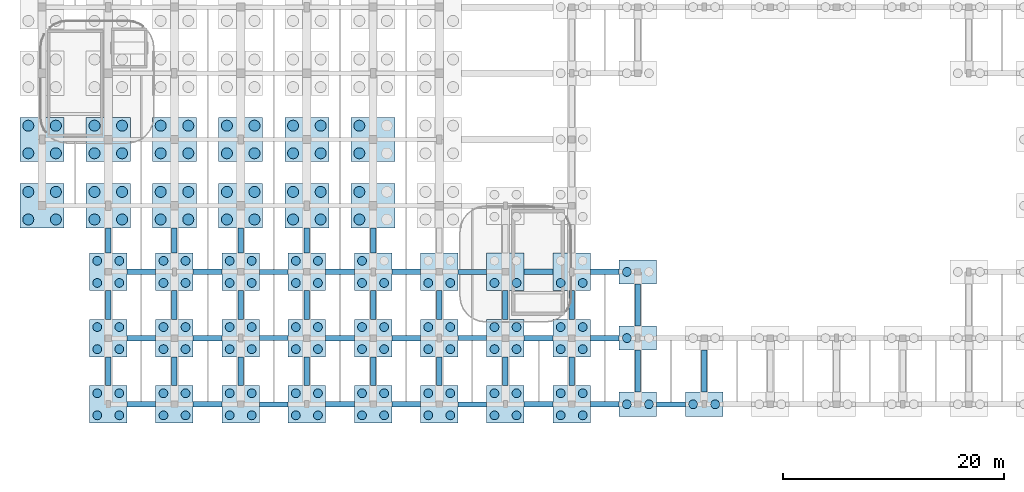
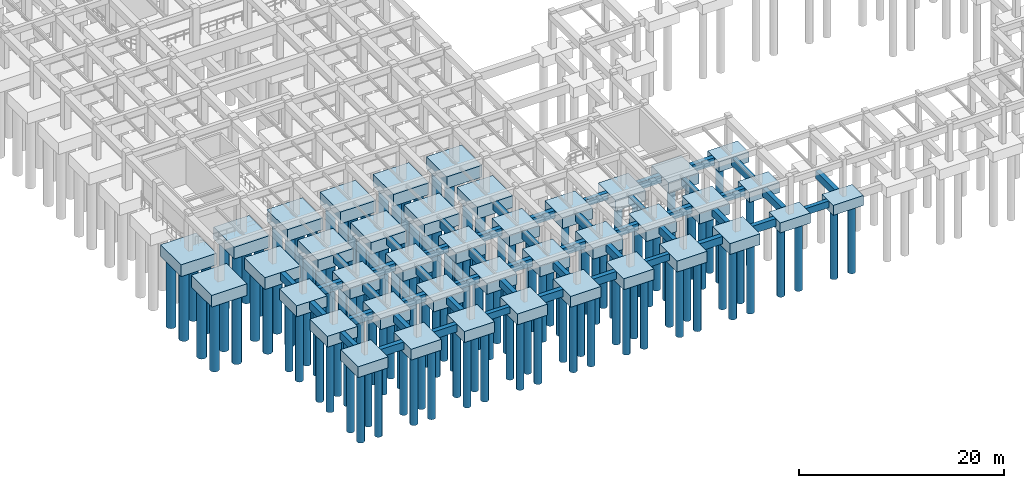
# One storey, part 1 of 32: 139 piles, 89 footings.
"""IFC4 building model written with IfcOpenShell, lengths in metres."""

from ifc_helpers import new_model, si_unit, direction, frame, origin, origin_2d, place, context, subcontext, project, spatial, rectangle, circle, extrude, material, material_profile, profile_set, type_object, element, save


model = new_model("IFC4")

# Units and contexts
model_context = context("Model", 3, precision=1e-05, world=origin(), true_north=direction((0.0, 1.0)))
body_context = subcontext(model_context, "Body", "Model", "MODEL_VIEW")
ifc_project = project(units=[si_unit("LENGTHUNIT", "METRE"), si_unit("AREAUNIT", "SQUARE_METRE"), si_unit("VOLUMEUNIT", "CUBIC_METRE"), si_unit("PLANEANGLEUNIT", "RADIAN"), si_unit("MASSUNIT", "GRAM", prefix="KILO")], contexts=[model_context])

# Site, building, storey
site_placement = place(None, origin())
site = spatial("IfcSite", under=ifc_project, at=site_placement, CompositionType="ELEMENT")
building_placement = place(site_placement, origin())
building = spatial("IfcBuilding", under=site, at=building_placement, Name="Varnakota Square Police Headquarters", CompositionType="ELEMENT")
storey_placement = place(building_placement, frame((0.0, 0.0, -4.5)))
storey = spatial("IfcBuildingStorey", under=building, at=storey_placement, Name="B1", CompositionType="ELEMENT", Elevation=-4.5)

# Footings
ifc_material_1 = material(Name="Concrete M40", Category="concrete")
ifc_material_profile_1 = material_profile(ifc_material_1, rectangle(XDim=0.5, YDim=0.89990234375, at=origin_2d()), Name="GB 500x900")
ifc_profile_set_1 = profile_set([ifc_material_profile_1], Name="Concrete M40")
footing_type_1 = type_object("IfcFootingType", Name="FT-GB1", PredefinedType="FOOTING_BEAM", material=ifc_profile_set_1)
for number, where, z_axis, x_axis, name in (
    (1, (13.699951171875, 3.0, -0.449951171875), (1.0, 0.0, 0.0), (0.0, 1.0, 0.0), "Ground tie beam GB-0001"),
    (2, (19.699951171875, 3.0, -0.449951171875), (1.0, 0.0, 0.0), (0.0, 1.0, 0.0), "Ground tie beam GB-0002"),
    (3, (31.699951171875, 3.0, -0.449951171875), (1.0, 0.0, 0.0), (0.0, 1.0, 0.0), "Ground tie beam GB-0004"),
    (4, (37.699951171875, 3.0, -0.449951171875), (1.0, 0.0, 0.0), (0.0, 1.0, 0.0), "Ground tie beam GB-0005"),
    (5, (49.699951171875, 3.0, -0.449951171875), (1.0, 0.0, 0.0), (0.0, 1.0, 0.0), "Ground tie beam GB-0007"),
    (6, (55.699951171875, 3.0, -0.449951171875), (1.0, 0.0, 0.0), (0.0, 1.0, 0.0), "Ground tie beam GB-0008"),
    (7, (13.699951171875, 9.0, -0.449951171875), (1.0, 0.0, 0.0), (0.0, 1.0, 0.0), "Ground tie beam GB-0016"),
    (8, (19.699951171875, 9.0, -0.449951171875), (1.0, 0.0, 0.0), (0.0, 1.0, 0.0), "Ground tie beam GB-0017"),
    (9, (31.699951171875, 9.0, -0.449951171875), (1.0, 0.0, 0.0), (0.0, 1.0, 0.0), "Ground tie beam GB-0019"),
    (10, (37.699951171875, 9.0, -0.449951171875), (1.0, 0.0, 0.0), (0.0, 1.0, 0.0), "Ground tie beam GB-0020"),
    (11, (49.699951171875, 9.0, -0.449951171875), (1.0, 0.0, 0.0), (0.0, 1.0, 0.0), "Ground tie beam GB-0022"),
    (12, (55.699951171875, 9.0, -0.449951171875), (1.0, 0.0, 0.0), (0.0, 1.0, 0.0), "Ground tie beam GB-0023"),
    (13, (13.699951171875, 15.0, -0.449951171875), (1.0, 0.0, 0.0), (0.0, 1.0, 0.0), "Ground tie beam GB-0031"),
    (14, (19.699951171875, 15.0, -0.449951171875), (1.0, 0.0, 0.0), (0.0, 1.0, 0.0), "Ground tie beam GB-0032"),
    (15, (31.699951171875, 15.0, -0.449951171875), (1.0, 0.0, 0.0), (0.0, 1.0, 0.0), "Ground tie beam GB-0034"),
    (16, (37.699951171875, 15.0, -0.449951171875), (1.0, 0.0, 0.0), (0.0, 1.0, 0.0), "Ground tie beam GB-0035"),
    (17, (49.699951171875, 15.0, -0.449951171875), (1.0, 0.0, 0.0), (0.0, 1.0, 0.0), "Ground tie beam GB-0037"),
    (18, (55.699951171875, 15.0, -0.449951171875), (1.0, 0.0, 0.0), (0.0, 1.0, 0.0), "Ground tie beam GB-0038"),
    (19, (12.0, 4.699951171875, -0.449951171875), (0.0, 1.0, 0.0), (-1.0, 0.0, 0.0), "Ground tie beam GB-0190"),
    (20, (12.0, 10.699951171875, -0.449951171875), (0.0, 1.0, 0.0), (-1.0, 0.0, 0.0), "Ground tie beam GB-0191"),
):
    element("IfcFooting", number, at=place(storey_placement, frame(where, z_axis=z_axis, x_axis=x_axis)), inside=storey, type_object=footing_type_1, Name=name, PredefinedType="FOOTING_BEAM", context=body_context, shape_type="SweptSolid", body=[
        extrude(rectangle(XDim=0.5, YDim=0.89990234375, at=origin_2d()), origin(), (0.0, 0.0, 1.0), 2.60009765625),
    ])
footing_1_placement = place(storey_placement, frame((12.0, 16.699951171875, -0.449951171875), z_axis=(0.0, 1.0, 0.0), x_axis=(-1.0, 0.0, 0.0)))
element("IfcFooting", 21, at=footing_1_placement, inside=storey, type_object=footing_type_1, Name="Ground tie beam GB-0192", PredefinedType="FOOTING_BEAM", context=body_context, shape_type="SweptSolid", body=[
    extrude(rectangle(XDim=0.5, YDim=0.89990234375, at=origin_2d()), origin(), (0.0, 0.0, 1.0), 2.300048828125),
])
for number, where, z_axis, x_axis, name in (
    (22, (18.0, 4.699951171875, -0.449951171875), (0.0, 1.0, 0.0), (-1.0, 0.0, 0.0), "Ground tie beam GB-0195"),
    (23, (18.0, 10.699951171875, -0.449951171875), (0.0, 1.0, 0.0), (-1.0, 0.0, 0.0), "Ground tie beam GB-0196"),
):
    element("IfcFooting", number, at=place(storey_placement, frame(where, z_axis=z_axis, x_axis=x_axis)), inside=storey, type_object=footing_type_1, Name=name, PredefinedType="FOOTING_BEAM", context=body_context, shape_type="SweptSolid", body=[
        extrude(rectangle(XDim=0.5, YDim=0.89990234375, at=origin_2d()), origin(), (0.0, 0.0, 1.0), 2.60009765625),
    ])
footing_2_placement = place(storey_placement, frame((18.0, 16.699951171875, -0.449951171875), z_axis=(0.0, 1.0, 0.0), x_axis=(-1.0, 0.0, 0.0)))
element("IfcFooting", 24, at=footing_2_placement, inside=storey, type_object=footing_type_1, Name="Ground tie beam GB-0197", PredefinedType="FOOTING_BEAM", context=body_context, shape_type="SweptSolid", body=[
    extrude(rectangle(XDim=0.5, YDim=0.89990234375, at=origin_2d()), origin(), (0.0, 0.0, 1.0), 2.300048828125),
])
for number, where, z_axis, x_axis, name in (
    (25, (24.0, 4.699951171875, -0.449951171875), (0.0, 1.0, 0.0), (-1.0, 0.0, 0.0), "Ground tie beam GB-0204"),
    (26, (24.0, 10.699951171875, -0.449951171875), (0.0, 1.0, 0.0), (-1.0, 0.0, 0.0), "Ground tie beam GB-0205"),
):
    element("IfcFooting", number, at=place(storey_placement, frame(where, z_axis=z_axis, x_axis=x_axis)), inside=storey, type_object=footing_type_1, Name=name, PredefinedType="FOOTING_BEAM", context=body_context, shape_type="SweptSolid", body=[
        extrude(rectangle(XDim=0.5, YDim=0.89990234375, at=origin_2d()), origin(), (0.0, 0.0, 1.0), 2.60009765625),
    ])
footing_3_placement = place(storey_placement, frame((24.0, 16.699951171875, -0.449951171875), z_axis=(0.0, 1.0, 0.0), x_axis=(-1.0, 0.0, 0.0)))
element("IfcFooting", 27, at=footing_3_placement, inside=storey, type_object=footing_type_1, Name="Ground tie beam GB-0206", PredefinedType="FOOTING_BEAM", context=body_context, shape_type="SweptSolid", body=[
    extrude(rectangle(XDim=0.5, YDim=0.89990234375, at=origin_2d()), origin(), (0.0, 0.0, 1.0), 2.300048828125),
])
for number, where, z_axis, x_axis, name in (
    (28, (30.0, 4.699951171875, -0.449951171875), (0.0, 1.0, 0.0), (-1.0, 0.0, 0.0), "Ground tie beam GB-0209"),
    (29, (30.0, 10.699951171875, -0.449951171875), (0.0, 1.0, 0.0), (-1.0, 0.0, 0.0), "Ground tie beam GB-0210"),
):
    element("IfcFooting", number, at=place(storey_placement, frame(where, z_axis=z_axis, x_axis=x_axis)), inside=storey, type_object=footing_type_1, Name=name, PredefinedType="FOOTING_BEAM", context=body_context, shape_type="SweptSolid", body=[
        extrude(rectangle(XDim=0.5, YDim=0.89990234375, at=origin_2d()), origin(), (0.0, 0.0, 1.0), 2.60009765625),
    ])
footing_4_placement = place(storey_placement, frame((30.0, 16.699951171875, -0.449951171875), z_axis=(0.0, 1.0, 0.0), x_axis=(-1.0, 0.0, 0.0)))
element("IfcFooting", 30, at=footing_4_placement, inside=storey, type_object=footing_type_1, Name="Ground tie beam GB-0211", PredefinedType="FOOTING_BEAM", context=body_context, shape_type="SweptSolid", body=[
    extrude(rectangle(XDim=0.5, YDim=0.89990234375, at=origin_2d()), origin(), (0.0, 0.0, 1.0), 2.300048828125),
])
for number, where, z_axis, x_axis, name in (
    (31, (36.0, 4.699951171875, -0.449951171875), (0.0, 1.0, 0.0), (-1.0, 0.0, 0.0), "Ground tie beam GB-0218"),
    (32, (36.0, 10.699951171875, -0.449951171875), (0.0, 1.0, 0.0), (-1.0, 0.0, 0.0), "Ground tie beam GB-0219"),
):
    element("IfcFooting", number, at=place(storey_placement, frame(where, z_axis=z_axis, x_axis=x_axis)), inside=storey, type_object=footing_type_1, Name=name, PredefinedType="FOOTING_BEAM", context=body_context, shape_type="SweptSolid", body=[
        extrude(rectangle(XDim=0.5, YDim=0.89990234375, at=origin_2d()), origin(), (0.0, 0.0, 1.0), 2.60009765625),
    ])
footing_5_placement = place(storey_placement, frame((36.0, 16.699951171875, -0.449951171875), z_axis=(0.0, 1.0, 0.0), x_axis=(-1.0, 0.0, 0.0)))
element("IfcFooting", 33, at=footing_5_placement, inside=storey, type_object=footing_type_1, Name="Ground tie beam GB-0220", PredefinedType="FOOTING_BEAM", context=body_context, shape_type="SweptSolid", body=[
    extrude(rectangle(XDim=0.5, YDim=0.89990234375, at=origin_2d()), origin(), (0.0, 0.0, 1.0), 2.300048828125),
])
for number, where, z_axis, x_axis, name in (
    (34, (42.0, 4.699951171875, -0.449951171875), (0.0, 1.0, 0.0), (-1.0, 0.0, 0.0), "Ground tie beam GB-0227"),
    (35, (42.0, 10.699951171875, -0.449951171875), (0.0, 1.0, 0.0), (-1.0, 0.0, 0.0), "Ground tie beam GB-0228"),
    (36, (48.0, 4.699951171875, -0.449951171875), (0.0, 1.0, 0.0), (-1.0, 0.0, 0.0), "Ground tie beam GB-0236"),
    (37, (48.0, 10.699951171875, -0.449951171875), (0.0, 1.0, 0.0), (-1.0, 0.0, 0.0), "Ground tie beam GB-0237"),
    (38, (54.0, 4.699951171875, -0.449951171875), (0.0, 1.0, 0.0), (-1.0, 0.0, 0.0), "Ground tie beam GB-0244"),
    (39, (54.0, 10.699951171875, -0.449951171875), (0.0, 1.0, 0.0), (-1.0, 0.0, 0.0), "Ground tie beam GB-0245"),
):
    element("IfcFooting", number, at=place(storey_placement, frame(where, z_axis=z_axis, x_axis=x_axis)), inside=storey, type_object=footing_type_1, Name=name, PredefinedType="FOOTING_BEAM", context=body_context, shape_type="SweptSolid", body=[
        extrude(rectangle(XDim=0.5, YDim=0.89990234375, at=origin_2d()), origin(), (0.0, 0.0, 1.0), 2.60009765625),
    ])
for number, where, z_axis, x_axis, name in (
    (40, (60.0, 4.10009765625, -0.449951171875), (0.0, 1.0, 0.0), (-1.0, 0.0, 0.0), "Ground tie beam GB-0255"),
    (41, (60.0, 10.10009765625, -0.449951171875), (0.0, 1.0, 0.0), (-1.0, 0.0, 0.0), "Ground tie beam GB-0256"),
    (42, (66.0, 4.10009765625, -0.449951171875), (0.0, 1.0, 0.0), (-1.0, 0.0, 0.0), "Ground tie beam GB-0261"),
):
    element("IfcFooting", number, at=place(storey_placement, frame(where, z_axis=z_axis, x_axis=x_axis)), inside=storey, type_object=footing_type_1, Name=name, PredefinedType="FOOTING_BEAM", context=body_context, shape_type="SweptSolid", body=[
        extrude(rectangle(XDim=0.5, YDim=0.89990234375, at=origin_2d()), origin(), (0.0, 0.0, 1.0), 3.7998046875),
    ])
ifc_material_profile_2 = material_profile(ifc_material_1, rectangle(XDim=0.449951171875, YDim=0.800048828125, at=origin_2d()), Name="GB 450x800")
ifc_profile_set_2 = profile_set([ifc_material_profile_2], Name="Concrete M40")
footing_type_2 = type_object("IfcFootingType", Name="FT-GB3", PredefinedType="FOOTING_BEAM", material=ifc_profile_set_2)
for number, where, z_axis, x_axis, name in (
    (43, (25.699951171875, 3.0, -0.39990234375), (1.0, 0.0, 0.0), (0.0, 1.0, 0.0), "Ground tie beam GB-0003"),
    (44, (43.699951171875, 3.0, -0.39990234375), (1.0, 0.0, 0.0), (0.0, 1.0, 0.0), "Ground tie beam GB-0006"),
    (45, (61.699951171875, 3.0, -0.39990234375), (1.0, 0.0, 0.0), (0.0, 1.0, 0.0), "Ground tie beam GB-0009"),
    (46, (25.699951171875, 9.0, -0.39990234375), (1.0, 0.0, 0.0), (0.0, 1.0, 0.0), "Ground tie beam GB-0018"),
    (47, (43.699951171875, 9.0, -0.39990234375), (1.0, 0.0, 0.0), (0.0, 1.0, 0.0), "Ground tie beam GB-0021"),
    (48, (25.699951171875, 15.0, -0.39990234375), (1.0, 0.0, 0.0), (0.0, 1.0, 0.0), "Ground tie beam GB-0033"),
    (49, (43.699951171875, 15.0, -0.39990234375), (1.0, 0.0, 0.0), (0.0, 1.0, 0.0), "Ground tie beam GB-0036"),
):
    element("IfcFooting", number, at=place(storey_placement, frame(where, z_axis=z_axis, x_axis=x_axis)), inside=storey, type_object=footing_type_2, Name=name, PredefinedType="FOOTING_BEAM", context=body_context, shape_type="SweptSolid", body=[
        extrude(rectangle(XDim=0.449951171875, YDim=0.800048828125, at=origin_2d()), origin(), (0.0, 0.0, 1.0), 2.60009765625),
    ])
footing_type_3 = type_object("IfcFootingType", Name="FT-PC2", PredefinedType="PILE_CAP", material=ifc_material_1)
for number, where, z_axis, x_axis, name in (
    (50, (60.0, 3.0, -1.2001953125), (0.0, 0.0, 1.0), (1.0, 0.0, 0.0), "Pile cap CAP-X0600-Y0030"),
    (51, (60.0, 9.0, -1.2001953125), (0.0, 0.0, 1.0), (1.0, 0.0, 0.0), "Pile cap CAP-X0600-Y0090"),
    (52, (60.0, 15.0, -1.2001953125), (0.0, 0.0, 1.0), (1.0, 0.0, 0.0), "Pile cap CAP-X0600-Y0150"),
    (53, (66.0, 3.0, -1.2001953125), (0.0, 0.0, 1.0), (1.0, 0.0, 0.0), "Pile cap CAP-X0660-Y0030"),
):
    element("IfcFooting", number, at=place(storey_placement, frame(where, z_axis=z_axis, x_axis=x_axis)), inside=storey, type_object=footing_type_3, Name=name, PredefinedType="PILE_CAP", context=body_context, shape_type="SweptSolid", body=[
        extrude(rectangle(XDim=3.39990234375, YDim=2.199951171875, at=origin_2d()), origin(), (0.0, 0.0, 1.0), 1.199951171875),
    ])
footing_type_4 = type_object("IfcFootingType", Name="FT-PC4", PredefinedType="PILE_CAP", material=ifc_material_1)
for number, where, z_axis, x_axis, name in (
    (54, (12.0, 3.0, -1.2998046875), (0.0, 0.0, 1.0), (1.0, 0.0, 0.0), "Pile cap CAP-X0120-Y0030"),
    (55, (12.0, 9.0, -1.2998046875), (0.0, 0.0, 1.0), (1.0, 0.0, 0.0), "Pile cap CAP-X0120-Y0090"),
    (56, (12.0, 15.0, -1.2998046875), (0.0, 0.0, 1.0), (1.0, 0.0, 0.0), "Pile cap CAP-X0120-Y0150"),
    (57, (18.0, 3.0, -1.2998046875), (0.0, 0.0, 1.0), (1.0, 0.0, 0.0), "Pile cap CAP-X0180-Y0030"),
    (58, (18.0, 9.0, -1.2998046875), (0.0, 0.0, 1.0), (1.0, 0.0, 0.0), "Pile cap CAP-X0180-Y0090"),
    (59, (18.0, 15.0, -1.2998046875), (0.0, 0.0, 1.0), (1.0, 0.0, 0.0), "Pile cap CAP-X0180-Y0150"),
    (60, (24.0, 3.0, -1.2998046875), (0.0, 0.0, 1.0), (1.0, 0.0, 0.0), "Pile cap CAP-X0240-Y0030"),
    (61, (24.0, 9.0, -1.2998046875), (0.0, 0.0, 1.0), (1.0, 0.0, 0.0), "Pile cap CAP-X0240-Y0090"),
    (62, (24.0, 15.0, -1.2998046875), (0.0, 0.0, 1.0), (1.0, 0.0, 0.0), "Pile cap CAP-X0240-Y0150"),
    (63, (30.0, 3.0, -1.2998046875), (0.0, 0.0, 1.0), (1.0, 0.0, 0.0), "Pile cap CAP-X0300-Y0030"),
    (64, (30.0, 9.0, -1.2998046875), (0.0, 0.0, 1.0), (1.0, 0.0, 0.0), "Pile cap CAP-X0300-Y0090"),
    (65, (30.0, 15.0, -1.2998046875), (0.0, 0.0, 1.0), (1.0, 0.0, 0.0), "Pile cap CAP-X0300-Y0150"),
    (66, (36.0, 3.0, -1.2998046875), (0.0, 0.0, 1.0), (1.0, 0.0, 0.0), "Pile cap CAP-X0360-Y0030"),
    (67, (36.0, 9.0, -1.2998046875), (0.0, 0.0, 1.0), (1.0, 0.0, 0.0), "Pile cap CAP-X0360-Y0090"),
    (68, (36.0, 15.0, -1.2998046875), (0.0, 0.0, 1.0), (1.0, 0.0, 0.0), "Pile cap CAP-X0360-Y0150"),
    (69, (42.0, 3.0, -1.2998046875), (0.0, 0.0, 1.0), (1.0, 0.0, 0.0), "Pile cap CAP-X0420-Y0030"),
    (70, (42.0, 9.0, -1.2998046875), (0.0, 0.0, 1.0), (1.0, 0.0, 0.0), "Pile cap CAP-X0420-Y0090"),
    (71, (42.0, 15.0, -1.2998046875), (0.0, 0.0, 1.0), (1.0, 0.0, 0.0), "Pile cap CAP-X0420-Y0150"),
    (72, (48.0, 3.0, -1.2998046875), (0.0, 0.0, 1.0), (1.0, 0.0, 0.0), "Pile cap CAP-X0480-Y0030"),
    (73, (48.0, 9.0, -1.2998046875), (0.0, 0.0, 1.0), (1.0, 0.0, 0.0), "Pile cap CAP-X0480-Y0090"),
    (74, (48.0, 15.0, -1.2998046875), (0.0, 0.0, 1.0), (1.0, 0.0, 0.0), "Pile cap CAP-X0480-Y0150"),
    (75, (54.0, 3.0, -1.2998046875), (0.0, 0.0, 1.0), (1.0, 0.0, 0.0), "Pile cap CAP-X0540-Y0030"),
    (76, (54.0, 9.0, -1.2998046875), (0.0, 0.0, 1.0), (1.0, 0.0, 0.0), "Pile cap CAP-X0540-Y0090"),
    (77, (54.0, 15.0, -1.2998046875), (0.0, 0.0, 1.0), (1.0, 0.0, 0.0), "Pile cap CAP-X0540-Y0150"),
):
    element("IfcFooting", number, at=place(storey_placement, frame(where, z_axis=z_axis, x_axis=x_axis)), inside=storey, type_object=footing_type_4, Name=name, PredefinedType="PILE_CAP", context=body_context, shape_type="SweptSolid", body=[
        extrude(rectangle(XDim=3.39990234375, YDim=3.39990234375, at=origin_2d()), origin(), (0.0, 0.0, 1.0), 1.300048828125),
    ])
ifc_material_2 = material(Name="Concrete M50", Category="concrete")
footing_type_5 = type_object("IfcFootingType", Name="FT-PC6", PredefinedType="PILE_CAP", material=ifc_material_2)
for number, where, z_axis, x_axis, name in (
    (78, (6.0, 21.0, -1.39990234375), (0.0, 0.0, 1.0), (1.0, 0.0, 0.0), "Pile cap CAP-X0060-Y0210"),
    (79, (6.0, 27.0, -1.39990234375), (0.0, 0.0, 1.0), (1.0, 0.0, 0.0), "Pile cap CAP-X0060-Y0270"),
    (80, (12.0, 21.0, -1.39990234375), (0.0, 0.0, 1.0), (1.0, 0.0, 0.0), "Pile cap CAP-X0120-Y0210"),
    (81, (12.0, 27.0, -1.39990234375), (0.0, 0.0, 1.0), (1.0, 0.0, 0.0), "Pile cap CAP-X0120-Y0270"),
    (82, (18.0, 21.0, -1.39990234375), (0.0, 0.0, 1.0), (1.0, 0.0, 0.0), "Pile cap CAP-X0180-Y0210"),
    (83, (18.0, 27.0, -1.39990234375), (0.0, 0.0, 1.0), (1.0, 0.0, 0.0), "Pile cap CAP-X0180-Y0270"),
    (84, (24.0, 21.0, -1.39990234375), (0.0, 0.0, 1.0), (1.0, 0.0, 0.0), "Pile cap CAP-X0240-Y0210"),
    (85, (24.0, 27.0, -1.39990234375), (0.0, 0.0, 1.0), (1.0, 0.0, 0.0), "Pile cap CAP-X0240-Y0270"),
    (86, (30.0, 21.0, -1.39990234375), (0.0, 0.0, 1.0), (1.0, 0.0, 0.0), "Pile cap CAP-X0300-Y0210"),
    (87, (30.0, 27.0, -1.39990234375), (0.0, 0.0, 1.0), (1.0, 0.0, 0.0), "Pile cap CAP-X0300-Y0270"),
    (88, (36.0, 21.0, -1.39990234375), (0.0, 0.0, 1.0), (1.0, 0.0, 0.0), "Pile cap CAP-X0360-Y0210"),
    (89, (36.0, 27.0, -1.39990234375), (0.0, 0.0, 1.0), (1.0, 0.0, 0.0), "Pile cap CAP-X0360-Y0270"),
):
    element("IfcFooting", number, at=place(storey_placement, frame(where, z_axis=z_axis, x_axis=x_axis)), inside=storey, type_object=footing_type_5, Name=name, PredefinedType="PILE_CAP", context=body_context, shape_type="SweptSolid", body=[
        extrude(rectangle(XDim=4.0, YDim=4.0, at=origin_2d()), origin(), (0.0, 0.0, 1.0), 1.39990234375),
    ])

# Piles
ifc_material_profile_3 = material_profile(ifc_material_2, circle(Radius=0.5, at=origin_2d()), Name="BORED PILE 1000")
ifc_profile_set_3 = profile_set([ifc_material_profile_3], Name="Concrete M50")
pile_type_1 = type_object("IfcPileType", Name="PILE-D1000", PredefinedType="BORED", material=ifc_profile_set_3)
for number, where, z_axis, x_axis, name in (
    (90, (4.75, 19.75, -1.300048828125), (0.0, 0.0, -1.0), (1.0, 0.0, 0.0), "Bored pile PLG-0001"),
    (91, (4.75, 22.25, -1.300048828125), (0.0, 0.0, -1.0), (1.0, 0.0, 0.0), "Bored pile PLG-0002"),
    (92, (7.25, 19.75, -1.300048828125), (0.0, 0.0, -1.0), (1.0, 0.0, 0.0), "Bored pile PLG-0003"),
    (93, (7.25, 22.25, -1.300048828125), (0.0, 0.0, -1.0), (1.0, 0.0, 0.0), "Bored pile PLG-0004"),
    (94, (4.75, 25.75, -1.300048828125), (0.0, 0.0, -1.0), (1.0, 0.0, 0.0), "Bored pile PLG-0005"),
    (95, (4.75, 28.25, -1.300048828125), (0.0, 0.0, -1.0), (1.0, 0.0, 0.0), "Bored pile PLG-0006"),
    (96, (7.25, 25.75, -1.300048828125), (0.0, 0.0, -1.0), (1.0, 0.0, 0.0), "Bored pile PLG-0007"),
    (97, (7.25, 28.25, -1.300048828125), (0.0, 0.0, -1.0), (1.0, 0.0, 0.0), "Bored pile PLG-0008"),
    (98, (10.75, 19.75, -1.300048828125), (0.0, 0.0, -1.0), (1.0, 0.0, 0.0), "Bored pile PLG-0073"),
    (99, (10.75, 22.25, -1.300048828125), (0.0, 0.0, -1.0), (1.0, 0.0, 0.0), "Bored pile PLG-0074"),
    (100, (13.25, 19.75, -1.300048828125), (0.0, 0.0, -1.0), (1.0, 0.0, 0.0), "Bored pile PLG-0075"),
    (101, (13.25, 22.25, -1.300048828125), (0.0, 0.0, -1.0), (1.0, 0.0, 0.0), "Bored pile PLG-0076"),
    (102, (10.75, 25.75, -1.300048828125), (0.0, 0.0, -1.0), (1.0, 0.0, 0.0), "Bored pile PLG-0077"),
    (103, (10.75, 28.25, -1.300048828125), (0.0, 0.0, -1.0), (1.0, 0.0, 0.0), "Bored pile PLG-0078"),
    (104, (13.25, 25.75, -1.300048828125), (0.0, 0.0, -1.0), (1.0, 0.0, 0.0), "Bored pile PLG-0079"),
    (105, (13.25, 28.25, -1.300048828125), (0.0, 0.0, -1.0), (1.0, 0.0, 0.0), "Bored pile PLG-0080"),
    (106, (16.75, 19.75, -1.300048828125), (0.0, 0.0, -1.0), (1.0, 0.0, 0.0), "Bored pile PLG-0133"),
    (107, (16.75, 22.25, -1.300048828125), (0.0, 0.0, -1.0), (1.0, 0.0, 0.0), "Bored pile PLG-0134"),
    (108, (19.25, 19.75, -1.300048828125), (0.0, 0.0, -1.0), (1.0, 0.0, 0.0), "Bored pile PLG-0135"),
    (109, (19.25, 22.25, -1.300048828125), (0.0, 0.0, -1.0), (1.0, 0.0, 0.0), "Bored pile PLG-0136"),
    (110, (16.75, 25.75, -1.300048828125), (0.0, 0.0, -1.0), (1.0, 0.0, 0.0), "Bored pile PLG-0137"),
    (111, (16.75, 28.25, -1.300048828125), (0.0, 0.0, -1.0), (1.0, 0.0, 0.0), "Bored pile PLG-0138"),
    (112, (19.25, 25.75, -1.300048828125), (0.0, 0.0, -1.0), (1.0, 0.0, 0.0), "Bored pile PLG-0139"),
    (113, (19.25, 28.25, -1.300048828125), (0.0, 0.0, -1.0), (1.0, 0.0, 0.0), "Bored pile PLG-0140"),
    (114, (22.75, 19.75, -1.300048828125), (0.0, 0.0, -1.0), (1.0, 0.0, 0.0), "Bored pile PLG-0196"),
    (115, (22.75, 22.25, -1.300048828125), (0.0, 0.0, -1.0), (1.0, 0.0, 0.0), "Bored pile PLG-0197"),
    (116, (25.25, 19.75, -1.300048828125), (0.0, 0.0, -1.0), (1.0, 0.0, 0.0), "Bored pile PLG-0198"),
    (117, (25.25, 22.25, -1.300048828125), (0.0, 0.0, -1.0), (1.0, 0.0, 0.0), "Bored pile PLG-0199"),
    (118, (22.75, 25.75, -1.300048828125), (0.0, 0.0, -1.0), (1.0, 0.0, 0.0), "Bored pile PLG-0200"),
    (119, (22.75, 28.25, -1.300048828125), (0.0, 0.0, -1.0), (1.0, 0.0, 0.0), "Bored pile PLG-0201"),
    (120, (25.25, 25.75, -1.300048828125), (0.0, 0.0, -1.0), (1.0, 0.0, 0.0), "Bored pile PLG-0202"),
    (121, (25.25, 28.25, -1.300048828125), (0.0, 0.0, -1.0), (1.0, 0.0, 0.0), "Bored pile PLG-0203"),
    (122, (28.75, 19.75, -1.300048828125), (0.0, 0.0, -1.0), (1.0, 0.0, 0.0), "Bored pile PLG-0236"),
    (123, (28.75, 22.25, -1.300048828125), (0.0, 0.0, -1.0), (1.0, 0.0, 0.0), "Bored pile PLG-0237"),
    (124, (31.25, 19.75, -1.300048828125), (0.0, 0.0, -1.0), (1.0, 0.0, 0.0), "Bored pile PLG-0238"),
    (125, (31.25, 22.25, -1.300048828125), (0.0, 0.0, -1.0), (1.0, 0.0, 0.0), "Bored pile PLG-0239"),
    (126, (28.75, 25.75, -1.300048828125), (0.0, 0.0, -1.0), (1.0, 0.0, 0.0), "Bored pile PLG-0240"),
    (127, (28.75, 28.25, -1.300048828125), (0.0, 0.0, -1.0), (1.0, 0.0, 0.0), "Bored pile PLG-0241"),
    (128, (31.25, 25.75, -1.300048828125), (0.0, 0.0, -1.0), (1.0, 0.0, 0.0), "Bored pile PLG-0242"),
    (129, (31.25, 28.25, -1.300048828125), (0.0, 0.0, -1.0), (1.0, 0.0, 0.0), "Bored pile PLG-0243"),
    (130, (34.75, 19.75, -1.300048828125), (0.0, 0.0, -1.0), (1.0, 0.0, 0.0), "Bored pile PLG-0299"),
    (131, (34.75, 22.25, -1.300048828125), (0.0, 0.0, -1.0), (1.0, 0.0, 0.0), "Bored pile PLG-0300"),
    (132, (34.75, 25.75, -1.300048828125), (0.0, 0.0, -1.0), (1.0, 0.0, 0.0), "Bored pile PLG-0303"),
    (133, (34.75, 28.25, -1.300048828125), (0.0, 0.0, -1.0), (1.0, 0.0, 0.0), "Bored pile PLG-0304"),
):
    element("IfcPile", number, at=place(storey_placement, frame(where, z_axis=z_axis, x_axis=x_axis)), inside=storey, type_object=pile_type_1, Name=name, PredefinedType="BORED", context=body_context, shape_type="SweptSolid", body=[
        extrude(circle(Radius=0.5, at=origin_2d()), origin(), (0.0, 0.0, 1.0), 8.199951171875),
    ])
ifc_material_profile_4 = material_profile(ifc_material_1, circle(Radius=0.39990234375, at=origin_2d()), Name="BORED PILE 800")
ifc_profile_set_4 = profile_set([ifc_material_profile_4], Name="Concrete M40")
pile_type_2 = type_object("IfcPileType", Name="PILE-D800", PredefinedType="BORED", material=ifc_profile_set_4)
for number, where, z_axis, x_axis, name in (
    (134, (11.0, 2.0, -1.199951171875), (0.0, 0.0, -1.0), (1.0, 0.0, 0.0), "Bored pile PLG-0061"),
    (135, (11.0, 4.0, -1.199951171875), (0.0, 0.0, -1.0), (1.0, 0.0, 0.0), "Bored pile PLG-0062"),
    (136, (13.0, 2.0, -1.199951171875), (0.0, 0.0, -1.0), (1.0, 0.0, 0.0), "Bored pile PLG-0063"),
    (137, (13.0, 4.0, -1.199951171875), (0.0, 0.0, -1.0), (1.0, 0.0, 0.0), "Bored pile PLG-0064"),
    (138, (11.0, 8.0, -1.199951171875), (0.0, 0.0, -1.0), (1.0, 0.0, 0.0), "Bored pile PLG-0065"),
    (139, (11.0, 10.0, -1.199951171875), (0.0, 0.0, -1.0), (1.0, 0.0, 0.0), "Bored pile PLG-0066"),
    (140, (13.0, 8.0, -1.199951171875), (0.0, 0.0, -1.0), (1.0, 0.0, 0.0), "Bored pile PLG-0067"),
    (141, (13.0, 10.0, -1.199951171875), (0.0, 0.0, -1.0), (1.0, 0.0, 0.0), "Bored pile PLG-0068"),
    (142, (11.0, 14.0, -1.199951171875), (0.0, 0.0, -1.0), (1.0, 0.0, 0.0), "Bored pile PLG-0069"),
    (143, (11.0, 16.0, -1.199951171875), (0.0, 0.0, -1.0), (1.0, 0.0, 0.0), "Bored pile PLG-0070"),
    (144, (13.0, 14.0, -1.199951171875), (0.0, 0.0, -1.0), (1.0, 0.0, 0.0), "Bored pile PLG-0071"),
    (145, (13.0, 16.0, -1.199951171875), (0.0, 0.0, -1.0), (1.0, 0.0, 0.0), "Bored pile PLG-0072"),
    (146, (17.0, 2.0, -1.199951171875), (0.0, 0.0, -1.0), (1.0, 0.0, 0.0), "Bored pile PLG-0121"),
    (147, (17.0, 4.0, -1.199951171875), (0.0, 0.0, -1.0), (1.0, 0.0, 0.0), "Bored pile PLG-0122"),
    (148, (19.0, 2.0, -1.199951171875), (0.0, 0.0, -1.0), (1.0, 0.0, 0.0), "Bored pile PLG-0123"),
    (149, (19.0, 4.0, -1.199951171875), (0.0, 0.0, -1.0), (1.0, 0.0, 0.0), "Bored pile PLG-0124"),
    (150, (17.0, 8.0, -1.199951171875), (0.0, 0.0, -1.0), (1.0, 0.0, 0.0), "Bored pile PLG-0125"),
    (151, (17.0, 10.0, -1.199951171875), (0.0, 0.0, -1.0), (1.0, 0.0, 0.0), "Bored pile PLG-0126"),
    (152, (19.0, 8.0, -1.199951171875), (0.0, 0.0, -1.0), (1.0, 0.0, 0.0), "Bored pile PLG-0127"),
    (153, (19.0, 10.0, -1.199951171875), (0.0, 0.0, -1.0), (1.0, 0.0, 0.0), "Bored pile PLG-0128"),
    (154, (17.0, 14.0, -1.199951171875), (0.0, 0.0, -1.0), (1.0, 0.0, 0.0), "Bored pile PLG-0129"),
    (155, (17.0, 16.0, -1.199951171875), (0.0, 0.0, -1.0), (1.0, 0.0, 0.0), "Bored pile PLG-0130"),
    (156, (19.0, 14.0, -1.199951171875), (0.0, 0.0, -1.0), (1.0, 0.0, 0.0), "Bored pile PLG-0131"),
    (157, (19.0, 16.0, -1.199951171875), (0.0, 0.0, -1.0), (1.0, 0.0, 0.0), "Bored pile PLG-0132"),
    (158, (23.0, 2.0, -1.199951171875), (0.0, 0.0, -1.0), (1.0, 0.0, 0.0), "Bored pile PLG-0184"),
    (159, (23.0, 4.0, -1.199951171875), (0.0, 0.0, -1.0), (1.0, 0.0, 0.0), "Bored pile PLG-0185"),
    (160, (25.0, 2.0, -1.199951171875), (0.0, 0.0, -1.0), (1.0, 0.0, 0.0), "Bored pile PLG-0186"),
    (161, (25.0, 4.0, -1.199951171875), (0.0, 0.0, -1.0), (1.0, 0.0, 0.0), "Bored pile PLG-0187"),
    (162, (23.0, 8.0, -1.199951171875), (0.0, 0.0, -1.0), (1.0, 0.0, 0.0), "Bored pile PLG-0188"),
    (163, (23.0, 10.0, -1.199951171875), (0.0, 0.0, -1.0), (1.0, 0.0, 0.0), "Bored pile PLG-0189"),
    (164, (25.0, 8.0, -1.199951171875), (0.0, 0.0, -1.0), (1.0, 0.0, 0.0), "Bored pile PLG-0190"),
    (165, (25.0, 10.0, -1.199951171875), (0.0, 0.0, -1.0), (1.0, 0.0, 0.0), "Bored pile PLG-0191"),
    (166, (23.0, 14.0, -1.199951171875), (0.0, 0.0, -1.0), (1.0, 0.0, 0.0), "Bored pile PLG-0192"),
    (167, (23.0, 16.0, -1.199951171875), (0.0, 0.0, -1.0), (1.0, 0.0, 0.0), "Bored pile PLG-0193"),
    (168, (25.0, 14.0, -1.199951171875), (0.0, 0.0, -1.0), (1.0, 0.0, 0.0), "Bored pile PLG-0194"),
    (169, (25.0, 16.0, -1.199951171875), (0.0, 0.0, -1.0), (1.0, 0.0, 0.0), "Bored pile PLG-0195"),
    (170, (29.0, 2.0, -1.199951171875), (0.0, 0.0, -1.0), (1.0, 0.0, 0.0), "Bored pile PLG-0224"),
    (171, (29.0, 4.0, -1.199951171875), (0.0, 0.0, -1.0), (1.0, 0.0, 0.0), "Bored pile PLG-0225"),
    (172, (31.0, 2.0, -1.199951171875), (0.0, 0.0, -1.0), (1.0, 0.0, 0.0), "Bored pile PLG-0226"),
    (173, (31.0, 4.0, -1.199951171875), (0.0, 0.0, -1.0), (1.0, 0.0, 0.0), "Bored pile PLG-0227"),
    (174, (29.0, 8.0, -1.199951171875), (0.0, 0.0, -1.0), (1.0, 0.0, 0.0), "Bored pile PLG-0228"),
    (175, (29.0, 10.0, -1.199951171875), (0.0, 0.0, -1.0), (1.0, 0.0, 0.0), "Bored pile PLG-0229"),
    (176, (31.0, 8.0, -1.199951171875), (0.0, 0.0, -1.0), (1.0, 0.0, 0.0), "Bored pile PLG-0230"),
    (177, (31.0, 10.0, -1.199951171875), (0.0, 0.0, -1.0), (1.0, 0.0, 0.0), "Bored pile PLG-0231"),
    (178, (29.0, 14.0, -1.199951171875), (0.0, 0.0, -1.0), (1.0, 0.0, 0.0), "Bored pile PLG-0232"),
    (179, (29.0, 16.0, -1.199951171875), (0.0, 0.0, -1.0), (1.0, 0.0, 0.0), "Bored pile PLG-0233"),
    (180, (31.0, 14.0, -1.199951171875), (0.0, 0.0, -1.0), (1.0, 0.0, 0.0), "Bored pile PLG-0234"),
    (181, (31.0, 16.0, -1.199951171875), (0.0, 0.0, -1.0), (1.0, 0.0, 0.0), "Bored pile PLG-0235"),
    (182, (35.0, 2.0, -1.199951171875), (0.0, 0.0, -1.0), (1.0, 0.0, 0.0), "Bored pile PLG-0287"),
    (183, (35.0, 4.0, -1.199951171875), (0.0, 0.0, -1.0), (1.0, 0.0, 0.0), "Bored pile PLG-0288"),
    (184, (37.0, 2.0, -1.199951171875), (0.0, 0.0, -1.0), (1.0, 0.0, 0.0), "Bored pile PLG-0289"),
    (185, (37.0, 4.0, -1.199951171875), (0.0, 0.0, -1.0), (1.0, 0.0, 0.0), "Bored pile PLG-0290"),
    (186, (35.0, 8.0, -1.199951171875), (0.0, 0.0, -1.0), (1.0, 0.0, 0.0), "Bored pile PLG-0291"),
    (187, (35.0, 10.0, -1.199951171875), (0.0, 0.0, -1.0), (1.0, 0.0, 0.0), "Bored pile PLG-0292"),
    (188, (37.0, 8.0, -1.199951171875), (0.0, 0.0, -1.0), (1.0, 0.0, 0.0), "Bored pile PLG-0293"),
    (189, (37.0, 10.0, -1.199951171875), (0.0, 0.0, -1.0), (1.0, 0.0, 0.0), "Bored pile PLG-0294"),
    (190, (35.0, 14.0, -1.199951171875), (0.0, 0.0, -1.0), (1.0, 0.0, 0.0), "Bored pile PLG-0295"),
    (191, (35.0, 16.0, -1.199951171875), (0.0, 0.0, -1.0), (1.0, 0.0, 0.0), "Bored pile PLG-0296"),
    (192, (37.0, 14.0, -1.199951171875), (0.0, 0.0, -1.0), (1.0, 0.0, 0.0), "Bored pile PLG-0297"),
    (193, (41.0, 2.0, -1.199951171875), (0.0, 0.0, -1.0), (1.0, 0.0, 0.0), "Bored pile PLG-0346"),
    (194, (41.0, 4.0, -1.199951171875), (0.0, 0.0, -1.0), (1.0, 0.0, 0.0), "Bored pile PLG-0347"),
    (195, (43.0, 2.0, -1.199951171875), (0.0, 0.0, -1.0), (1.0, 0.0, 0.0), "Bored pile PLG-0348"),
    (196, (43.0, 4.0, -1.199951171875), (0.0, 0.0, -1.0), (1.0, 0.0, 0.0), "Bored pile PLG-0349"),
    (197, (41.0, 8.0, -1.199951171875), (0.0, 0.0, -1.0), (1.0, 0.0, 0.0), "Bored pile PLG-0350"),
    (198, (41.0, 10.0, -1.199951171875), (0.0, 0.0, -1.0), (1.0, 0.0, 0.0), "Bored pile PLG-0351"),
    (199, (43.0, 8.0, -1.199951171875), (0.0, 0.0, -1.0), (1.0, 0.0, 0.0), "Bored pile PLG-0352"),
    (200, (43.0, 10.0, -1.199951171875), (0.0, 0.0, -1.0), (1.0, 0.0, 0.0), "Bored pile PLG-0353"),
    (201, (41.0, 14.0, -1.199951171875), (0.0, 0.0, -1.0), (1.0, 0.0, 0.0), "Bored pile PLG-0354"),
    (202, (43.0, 14.0, -1.199951171875), (0.0, 0.0, -1.0), (1.0, 0.0, 0.0), "Bored pile PLG-0356"),
    (203, (47.0, 2.0, -1.199951171875), (0.0, 0.0, -1.0), (1.0, 0.0, 0.0), "Bored pile PLG-0409"),
    (204, (47.0, 4.0, -1.199951171875), (0.0, 0.0, -1.0), (1.0, 0.0, 0.0), "Bored pile PLG-0410"),
    (205, (49.0, 2.0, -1.199951171875), (0.0, 0.0, -1.0), (1.0, 0.0, 0.0), "Bored pile PLG-0411"),
    (206, (49.0, 4.0, -1.199951171875), (0.0, 0.0, -1.0), (1.0, 0.0, 0.0), "Bored pile PLG-0412"),
    (207, (47.0, 8.0, -1.199951171875), (0.0, 0.0, -1.0), (1.0, 0.0, 0.0), "Bored pile PLG-0413"),
    (208, (47.0, 10.0, -1.199951171875), (0.0, 0.0, -1.0), (1.0, 0.0, 0.0), "Bored pile PLG-0414"),
    (209, (49.0, 8.0, -1.199951171875), (0.0, 0.0, -1.0), (1.0, 0.0, 0.0), "Bored pile PLG-0415"),
    (210, (49.0, 10.0, -1.199951171875), (0.0, 0.0, -1.0), (1.0, 0.0, 0.0), "Bored pile PLG-0416"),
    (211, (47.0, 14.0, -1.199951171875), (0.0, 0.0, -1.0), (1.0, 0.0, 0.0), "Bored pile PLG-0417"),
    (212, (49.0, 14.0, -1.199951171875), (0.0, 0.0, -1.0), (1.0, 0.0, 0.0), "Bored pile PLG-0419"),
    (213, (53.0, 2.0, -1.199951171875), (0.0, 0.0, -1.0), (1.0, 0.0, 0.0), "Bored pile PLG-0444"),
    (214, (53.0, 4.0, -1.199951171875), (0.0, 0.0, -1.0), (1.0, 0.0, 0.0), "Bored pile PLG-0445"),
    (215, (55.0, 2.0, -1.199951171875), (0.0, 0.0, -1.0), (1.0, 0.0, 0.0), "Bored pile PLG-0446"),
    (216, (55.0, 4.0, -1.199951171875), (0.0, 0.0, -1.0), (1.0, 0.0, 0.0), "Bored pile PLG-0447"),
    (217, (53.0, 8.0, -1.199951171875), (0.0, 0.0, -1.0), (1.0, 0.0, 0.0), "Bored pile PLG-0448"),
    (218, (53.0, 10.0, -1.199951171875), (0.0, 0.0, -1.0), (1.0, 0.0, 0.0), "Bored pile PLG-0449"),
    (219, (55.0, 8.0, -1.199951171875), (0.0, 0.0, -1.0), (1.0, 0.0, 0.0), "Bored pile PLG-0450"),
    (220, (55.0, 10.0, -1.199951171875), (0.0, 0.0, -1.0), (1.0, 0.0, 0.0), "Bored pile PLG-0451"),
    (221, (53.0, 14.0, -1.199951171875), (0.0, 0.0, -1.0), (1.0, 0.0, 0.0), "Bored pile PLG-0452"),
    (222, (55.0, 14.0, -1.199951171875), (0.0, 0.0, -1.0), (1.0, 0.0, 0.0), "Bored pile PLG-0454"),
):
    element("IfcPile", number, at=place(storey_placement, frame(where, z_axis=z_axis, x_axis=x_axis)), inside=storey, type_object=pile_type_2, Name=name, PredefinedType="BORED", context=body_context, shape_type="SweptSolid", body=[
        extrude(circle(Radius=0.39990234375, at=origin_2d()), origin(), (0.0, 0.0, 1.0), 8.300048828125),
    ])
for number, where, z_axis, x_axis, name in (
    (223, (59.0, 3.0, -1.10009765625), (0.0, 0.0, -1.0), (1.0, 0.0, 0.0), "Bored pile PLG-0490"),
    (224, (61.0, 3.0, -1.10009765625), (0.0, 0.0, -1.0), (1.0, 0.0, 0.0), "Bored pile PLG-0491"),
    (225, (59.0, 9.0, -1.10009765625), (0.0, 0.0, -1.0), (1.0, 0.0, 0.0), "Bored pile PLG-0492"),
    (226, (59.0, 15.0, -1.10009765625), (0.0, 0.0, -1.0), (1.0, 0.0, 0.0), "Bored pile PLG-0494"),
    (227, (65.0, 3.0, -1.10009765625), (0.0, 0.0, -1.0), (1.0, 0.0, 0.0), "Bored pile PLG-0517"),
    (228, (67.0, 3.0, -1.10009765625), (0.0, 0.0, -1.0), (1.0, 0.0, 0.0), "Bored pile PLG-0518"),
):
    element("IfcPile", number, at=place(storey_placement, frame(where, z_axis=z_axis, x_axis=x_axis)), inside=storey, type_object=pile_type_2, Name=name, PredefinedType="BORED", context=body_context, shape_type="SweptSolid", body=[
        extrude(circle(Radius=0.39990234375, at=origin_2d()), origin(), (0.0, 0.0, 1.0), 8.39990234375),
    ])

save(model, "model.ifc")
